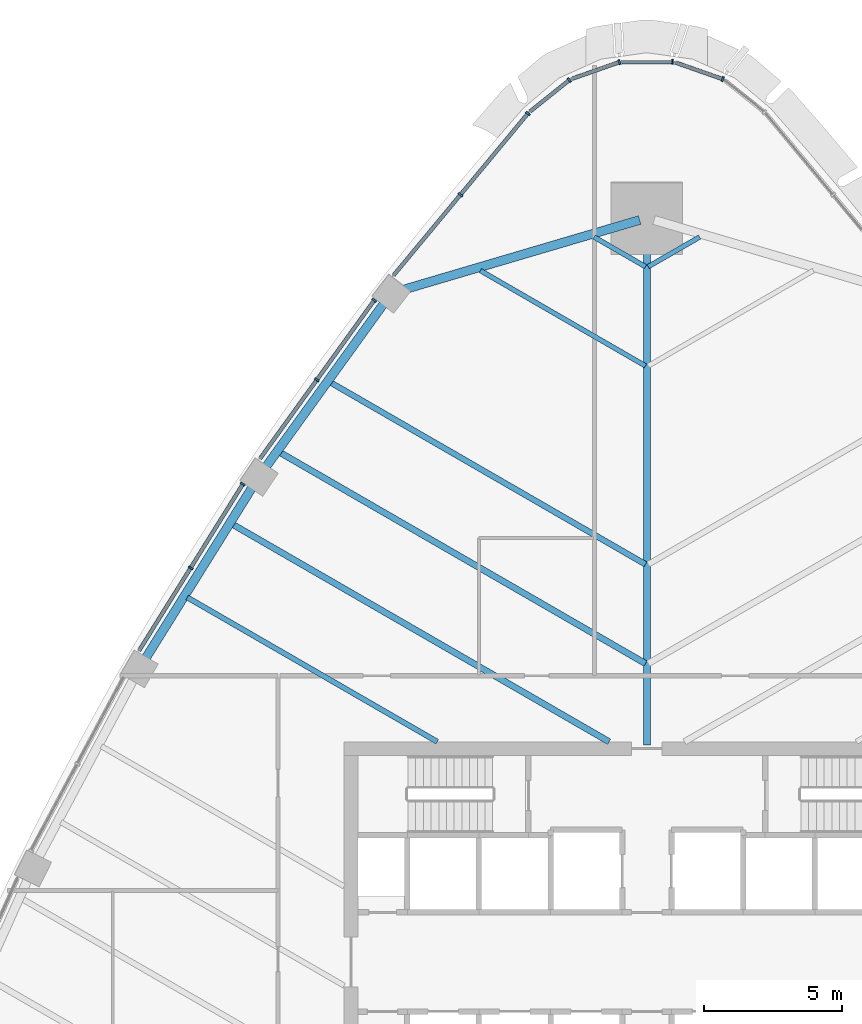
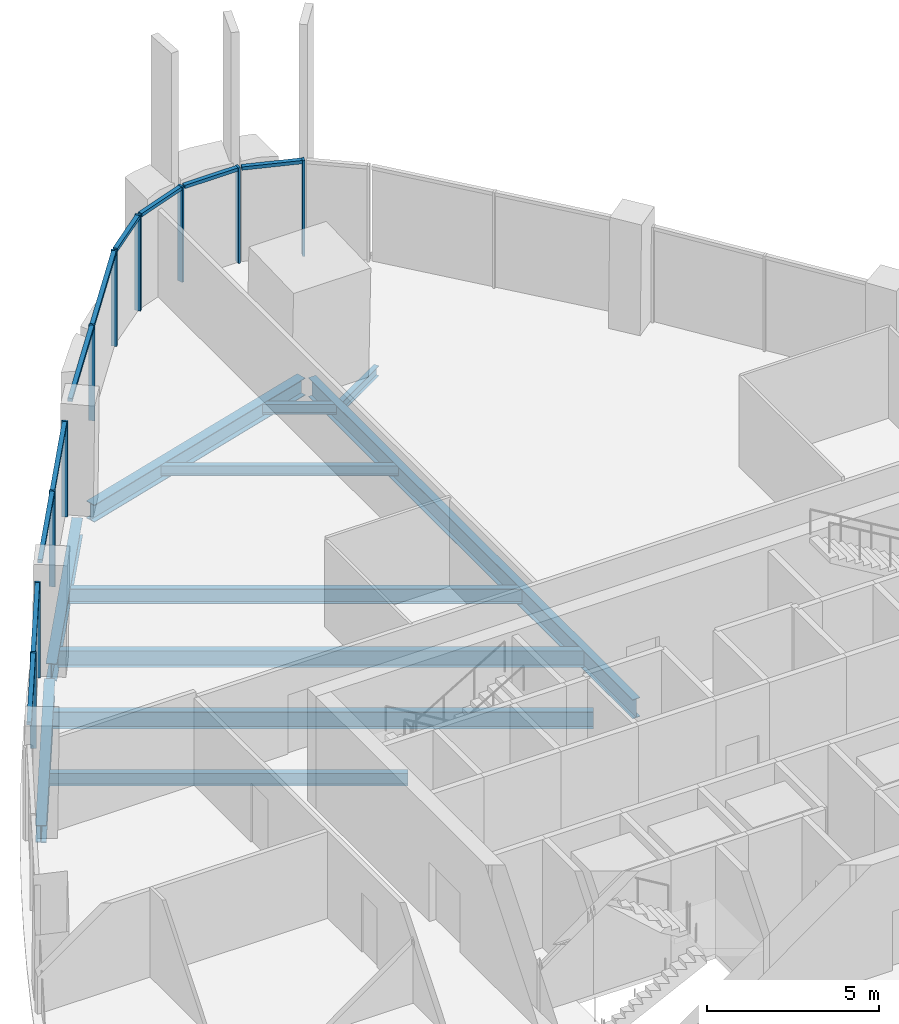
# One storey, part 6 of 19: 20 members, 11 beams, 7 elements without a shape of their own.
"""IFC4 building model written with IfcOpenShell, lengths in metres."""

from ifc_helpers import new_model, si_unit, direction, frame, origin, origin_2d, place, context, subcontext, project, spatial, rectangle, i_section, extrude, material, layer, layer_set, material_profile, profile_set, type_object, element, aggregate, save


model = new_model("IFC4")

# Units and contexts
model_context = context("Model", 3, precision=1e-05, world=origin(), true_north=direction((0.0, 1.0)))
body_context = subcontext(model_context, "Body", "Model", "MODEL_VIEW")
ifc_project = project(units=[si_unit("LENGTHUNIT", "METRE"), si_unit("AREAUNIT", "SQUARE_METRE"), si_unit("VOLUMEUNIT", "CUBIC_METRE"), si_unit("PLANEANGLEUNIT", "RADIAN"), si_unit("MASSUNIT", "GRAM", prefix="KILO")], contexts=[model_context])

# Site, building, storey
site_placement = place(None, origin())
site = spatial("IfcSite", under=ifc_project, at=site_placement, CompositionType="ELEMENT")
building_placement = place(site_placement, origin())
building = spatial("IfcBuilding", under=site, at=building_placement, Name="Sierra Prisma Convention Tower", CompositionType="ELEMENT")
storey_placement = place(building_placement, frame((0.0, 0.0, 185.800048828125)))
storey = spatial("IfcBuildingStorey", under=building, at=storey_placement, Name="L41", CompositionType="ELEMENT", Elevation=185.800048828125)

# Curtain wall, member
ifc_material_1 = material(Name="Aluminium and glass curtain wall", Category="aluminium")
ifc_layer = layer(ifc_material_1, 0.179931640625)
ifc_layer_set = layer_set([ifc_layer], Name="CW-1 Plain shaft curtain wall")
curtain_wall_type = type_object("IfcCurtainWallType", Name="CW-1 Plain shaft curtain wall", PredefinedType="NOTDEFINED", material=ifc_layer_set)
curtain_wall_1_placement = place(storey_placement, origin())
curtain_wall_1 = element("IfcCurtainWall", 1, at=curtain_wall_1_placement, inside=storey, type_object=curtain_wall_type, Name="CW-1 N2 L41", PredefinedType="NOTDEFINED")
ifc_material_2 = material(Name="Aluminium 6063-T6 bronze anodised", Category="aluminium")
ifc_material_profile_1 = material_profile(ifc_material_2, rectangle(XDim=0.179931640625, YDim=0.070068359375, at=origin_2d()), Name="ALU MULLION 70x180")
ifc_profile_set_1 = profile_set([ifc_material_profile_1], Name="Aluminium 6063-T6 bronze anodised")
member_type_1 = type_object("IfcMemberType", Name="CW mullion bronze", PredefinedType="MULLION", material=ifc_profile_set_1)
member_1_placement = place(storey_placement, frame((2.756591796875, 32.072021484375, 0.0), z_axis=(0.0, 0.0, 1.0), x_axis=(-0.331320274633, -0.94351834938, 0.0)))
member_1 = element("IfcMember", 2, at=member_1_placement, type_object=member_type_1, Name="CW-1 mullion N2.1", PredefinedType="MULLION", context=body_context, shape_type="SweptSolid", body=[
    extrude(rectangle(XDim=0.179931640625, YDim=0.070068359375, at=origin_2d()), origin(), (0.0, 0.0, 1.0), 3.39990234375),
])

curtain_wall_2_placement = place(storey_placement, origin())
curtain_wall_2 = element("IfcCurtainWall", 3, at=curtain_wall_2_placement, inside=storey, type_object=curtain_wall_type, Name="CW-1 N3 L41", PredefinedType="NOTDEFINED")
member_2_placement = place(storey_placement, frame((0.931396484375, 32.700927734375, 0.0), z_axis=(0.0, 0.0, 1.0), x_axis=(0.0, -1.0, 0.0)))
member_2 = element("IfcMember", 4, at=member_2_placement, type_object=member_type_1, Name="CW-1 mullion N3.1", PredefinedType="MULLION", context=body_context, shape_type="SweptSolid", body=[
    extrude(rectangle(XDim=0.179931640625, YDim=0.070068359375, at=origin_2d()), origin(), (0.0, 0.0, 1.0), 3.39990234375),
])

curtain_wall_3_placement = place(storey_placement, origin())
curtain_wall_3 = element("IfcCurtainWall", 5, at=curtain_wall_3_placement, inside=storey, type_object=curtain_wall_type, Name="CW-1 N4 L41", PredefinedType="NOTDEFINED")
member_3_placement = place(storey_placement, frame((-0.999267578125, 32.689208984375, 0.0), z_axis=(0.0, 0.0, 1.0), x_axis=(0.331320274633, -0.94351834938, 0.0)))
member_3 = element("IfcMember", 6, at=member_3_placement, type_object=member_type_1, Name="CW-1 mullion N4.1", PredefinedType="MULLION", context=body_context, shape_type="SweptSolid", body=[
    extrude(rectangle(XDim=0.179931640625, YDim=0.070068359375, at=origin_2d()), origin(), (0.0, 0.0, 1.0), 3.39990234375),
])

curtain_wall_4_placement = place(storey_placement, origin())
curtain_wall_4 = element("IfcCurtainWall", 7, at=curtain_wall_4_placement, inside=storey, type_object=curtain_wall_type, Name="CW-1 N5 L41", PredefinedType="NOTDEFINED")
member_4_placement = place(storey_placement, frame((-2.817138671875, 32.03857421875, 0.0), z_axis=(0.0, 0.0, 1.0), x_axis=(0.625213517277, -0.780453751234, 0.0)))
member_4 = element("IfcMember", 8, at=member_4_placement, type_object=member_type_1, Name="CW-1 mullion N5.1", PredefinedType="MULLION", context=body_context, shape_type="SweptSolid", body=[
    extrude(rectangle(XDim=0.179931640625, YDim=0.070068359375, at=origin_2d()), origin(), (0.0, 0.0, 1.0), 3.39990234375),
])

# Curtain wall, members
curtain_wall_5_placement = place(storey_placement, origin())
curtain_wall_5 = element("IfcCurtainWall", 9, at=curtain_wall_5_placement, inside=storey, type_object=curtain_wall_type, Name="CW-1 NW1 L41", PredefinedType="NOTDEFINED")
member_5_placement = place(storey_placement, frame((-4.3203125, 30.8251953125, 0.0), z_axis=(0.0, 0.0, 1.0), x_axis=(0.769514057048, -0.638629874031, 0.0)))
member_5 = element("IfcMember", 10, at=member_5_placement, type_object=member_type_1, Name="CW-1 mullion NW1.1", PredefinedType="MULLION", context=body_context, shape_type="SweptSolid", body=[
    extrude(rectangle(XDim=0.179931640625, YDim=0.070068359375, at=origin_2d()), origin(), (0.0, 0.0, 1.0), 3.39990234375),
])
member_6_placement = place(storey_placement, frame((-6.77099609375, 27.872314453125, 0.0), z_axis=(0.0, 0.0, 1.0), x_axis=(0.769514057048, -0.638629874031, 0.0)))
member_6 = element("IfcMember", 11, at=member_6_placement, type_object=member_type_1, Name="CW-1 mullion NW1.2", PredefinedType="MULLION", context=body_context, shape_type="SweptSolid", body=[
    extrude(rectangle(XDim=0.179931640625, YDim=0.070068359375, at=origin_2d()), origin(), (0.0, 0.0, 1.0), 3.39990234375),
])

curtain_wall_6_placement = place(storey_placement, origin())
curtain_wall_6 = element("IfcCurtainWall", 12, at=curtain_wall_6_placement, inside=storey, type_object=curtain_wall_type, Name="CW-1 NW2 L41", PredefinedType="NOTDEFINED")
member_7_placement = place(storey_placement, frame((-9.902587890625, 24.037841796875, 0.0), z_axis=(0.0, 0.0, 1.0), x_axis=(0.810922527159, -0.585153531089, 0.0)))
member_7 = element("IfcMember", 13, at=member_7_placement, type_object=member_type_1, Name="CW-1 mullion NW2.1", PredefinedType="MULLION", context=body_context, shape_type="SweptSolid", body=[
    extrude(rectangle(XDim=0.179931640625, YDim=0.070068359375, at=origin_2d()), origin(), (0.0, 0.0, 1.0), 3.39990234375),
])
member_8_placement = place(storey_placement, frame((-11.98876953125, 21.146728515625, 0.0), z_axis=(0.0, 0.0, 1.0), x_axis=(0.810922527159, -0.585153531089, 0.0)))
member_8 = element("IfcMember", 14, at=member_8_placement, type_object=member_type_1, Name="CW-1 mullion NW2.2", PredefinedType="MULLION", context=body_context, shape_type="SweptSolid", body=[
    extrude(rectangle(XDim=0.179931640625, YDim=0.070068359375, at=origin_2d()), origin(), (0.0, 0.0, 1.0), 3.39990234375),
])

curtain_wall_7_placement = place(storey_placement, origin())
curtain_wall_7 = element("IfcCurtainWall", 15, at=curtain_wall_7_placement, inside=storey, type_object=curtain_wall_type, Name="CW-1 NW3 L41", PredefinedType="NOTDEFINED")
member_9_placement = place(storey_placement, frame((-14.677490234375, 17.357177734375, 0.0), z_axis=(0.0, 0.0, 1.0), x_axis=(0.848621528952, -0.529000473155, 0.0)))
member_9 = element("IfcMember", 16, at=member_9_placement, type_object=member_type_1, Name="CW-1 mullion NW3.1", PredefinedType="MULLION", context=body_context, shape_type="SweptSolid", body=[
    extrude(rectangle(XDim=0.179931640625, YDim=0.070068359375, at=origin_2d()), origin(), (0.0, 0.0, 1.0), 3.39990234375),
])
member_10_placement = place(storey_placement, frame((-16.572021484375, 14.318115234375, 0.0), z_axis=(0.0, 0.0, 1.0), x_axis=(0.848621528952, -0.529000473155, 0.0)))
member_10 = element("IfcMember", 17, at=member_10_placement, type_object=member_type_1, Name="CW-1 mullion NW3.2", PredefinedType="MULLION", context=body_context, shape_type="SweptSolid", body=[
    extrude(rectangle(XDim=0.179931640625, YDim=0.070068359375, at=origin_2d()), origin(), (0.0, 0.0, 1.0), 3.39990234375),
])

# Member
ifc_material_3 = material(Name="Aluminium 6063-T6 bronze anodised", Category="aluminium")
ifc_material_profile_2 = material_profile(ifc_material_3, rectangle(XDim=0.139892578125, YDim=0.1201171875, at=origin_2d()), Name="ALU TRANSOM 120x140")
ifc_profile_set_2 = profile_set([ifc_material_profile_2], Name="Aluminium 6063-T6 bronze anodised")
member_type_2 = type_object("IfcMemberType", Name="CW transom bronze", PredefinedType="USERDEFINED", material=ifc_profile_set_2)
member_11_placement = place(storey_placement, frame((2.7236328125, 32.083740234375, 3.33984375), z_axis=(-0.943509627848, 0.331345110357, 0.0), x_axis=(-0.331345110357, -0.943509627848, 0.0)))
member_11 = element("IfcMember", 18, at=member_11_placement, type_object=member_type_2, Name="CW-1 transom N2.1", ObjectType="TRANSOM", PredefinedType="USERDEFINED", context=body_context, shape_type="SweptSolid", body=[
    extrude(rectangle(XDim=0.139892578125, YDim=0.1201171875, at=origin_2d()), origin(), (0.0, 0.0, 1.0), 1.792724609375),
])

aggregate(curtain_wall_1, [member_1, member_11])

member_12_placement = place(storey_placement, frame((0.896240234375, 32.700927734375, 3.33984375), z_axis=(-1.0, 0.0, 0.0), x_axis=(0.0, -1.0, 0.0)))
member_12 = element("IfcMember", 19, at=member_12_placement, type_object=member_type_2, Name="CW-1 transom N3.1", ObjectType="TRANSOM", PredefinedType="USERDEFINED", context=body_context, shape_type="SweptSolid", body=[
    extrude(rectangle(XDim=0.139892578125, YDim=0.1201171875, at=origin_2d()), origin(), (0.0, 0.0, 1.0), 1.79248046875),
])

aggregate(curtain_wall_2, [member_2, member_12])

member_13_placement = place(storey_placement, frame((-1.0322265625, 32.677734375, 3.33984375), z_axis=(-0.943509627848, -0.331345110357, 0.0), x_axis=(0.331345110357, -0.943509627848, 0.0)))
member_13 = element("IfcMember", 20, at=member_13_placement, type_object=member_type_2, Name="CW-1 transom N4.1", ObjectType="TRANSOM", PredefinedType="USERDEFINED", context=body_context, shape_type="SweptSolid", body=[
    extrude(rectangle(XDim=0.139892578125, YDim=0.1201171875, at=origin_2d()), origin(), (0.0, 0.0, 1.0), 1.792724609375),
])

aggregate(curtain_wall_3, [member_3, member_13])

member_14_placement = place(storey_placement, frame((-2.84423828125, 32.016845703125, 3.33984375), z_axis=(-0.780456773411, -0.625209744675, 0.0), x_axis=(0.625209744675, -0.780456773411, 0.0)))
member_14 = element("IfcMember", 21, at=member_14_placement, type_object=member_type_2, Name="CW-1 transom N5.1", ObjectType="TRANSOM", PredefinedType="USERDEFINED", context=body_context, shape_type="SweptSolid", body=[
    extrude(rectangle(XDim=0.139892578125, YDim=0.1201171875, at=origin_2d()), origin(), (0.0, 0.0, 1.0), 1.792724609375),
])

aggregate(curtain_wall_4, [member_4, member_14])

member_15_placement = place(storey_placement, frame((-4.3427734375, 30.79833984375, 3.33984375), z_axis=(-0.638621460527, -0.769521039448, 0.0), x_axis=(0.769521039448, -0.638621460527, 0.0)))
member_15 = element("IfcMember", 22, at=member_15_placement, type_object=member_type_2, Name="CW-1 transom NW1.1", ObjectType="TRANSOM", PredefinedType="USERDEFINED", context=body_context, shape_type="SweptSolid", body=[
    extrude(rectangle(XDim=0.139892578125, YDim=0.1201171875, at=origin_2d()), origin(), (0.0, 0.0, 1.0), 3.767578125),
])

member_16_placement = place(storey_placement, frame((-6.79345703125, 27.845458984375, 3.33984375), z_axis=(-0.638621460527, -0.769521039448, 0.0), x_axis=(0.769521039448, -0.638621460527, 0.0)))
member_16 = element("IfcMember", 23, at=member_16_placement, type_object=member_type_2, Name="CW-1 transom NW1.2", ObjectType="TRANSOM", PredefinedType="USERDEFINED", context=body_context, shape_type="SweptSolid", body=[
    extrude(rectangle(XDim=0.139892578125, YDim=0.1201171875, at=origin_2d()), origin(), (0.0, 0.0, 1.0), 3.767578125),
])

aggregate(curtain_wall_5, [member_5, member_6, member_15, member_16])

member_17_placement = place(storey_placement, frame((-9.923095703125, 24.009521484375, 3.33984375), z_axis=(-0.585123256355, -0.810944372243, 0.0), x_axis=(0.810944372243, -0.585123256355, 0.0)))
member_17 = element("IfcMember", 24, at=member_17_placement, type_object=member_type_2, Name="CW-1 transom NW2.1", ObjectType="TRANSOM", PredefinedType="USERDEFINED", context=body_context, shape_type="SweptSolid", body=[
    extrude(rectangle(XDim=0.139892578125, YDim=0.1201171875, at=origin_2d()), origin(), (0.0, 0.0, 1.0), 3.495361328125),
])

member_18_placement = place(storey_placement, frame((-12.00927734375, 21.118408203125, 3.33984375), z_axis=(-0.585123256355, -0.810944372243, 0.0), x_axis=(0.810944372243, -0.585123256355, 0.0)))
member_18 = element("IfcMember", 25, at=member_18_placement, type_object=member_type_2, Name="CW-1 transom NW2.2", ObjectType="TRANSOM", PredefinedType="USERDEFINED", context=body_context, shape_type="SweptSolid", body=[
    extrude(rectangle(XDim=0.139892578125, YDim=0.1201171875, at=origin_2d()), origin(), (0.0, 0.0, 1.0), 3.495361328125),
])

aggregate(curtain_wall_6, [member_7, member_8, member_17, member_18])

member_19_placement = place(storey_placement, frame((-14.696044921875, 17.327392578125, 3.33984375), z_axis=(-0.529023534747, -0.848607152741, 0.0), x_axis=(0.848607152741, -0.529023534747, 0.0)))
member_19 = element("IfcMember", 26, at=member_19_placement, type_object=member_type_2, Name="CW-1 transom NW3.1", ObjectType="TRANSOM", PredefinedType="USERDEFINED", context=body_context, shape_type="SweptSolid", body=[
    extrude(rectangle(XDim=0.139892578125, YDim=0.1201171875, at=origin_2d()), origin(), (0.0, 0.0, 1.0), 3.510986328125),
])

member_20_placement = place(storey_placement, frame((-16.590576171875, 14.288330078125, 3.33984375), z_axis=(-0.52899231959, -0.84862661154, 0.0), x_axis=(0.84862661154, -0.52899231959, 0.0)))
member_20 = element("IfcMember", 27, at=member_20_placement, type_object=member_type_2, Name="CW-1 transom NW3.2", ObjectType="TRANSOM", PredefinedType="USERDEFINED", context=body_context, shape_type="SweptSolid", body=[
    extrude(rectangle(XDim=0.139892578125, YDim=0.1201171875, at=origin_2d()), origin(), (0.0, 0.0, 1.0), 3.51123046875),
])

aggregate(curtain_wall_7, [member_9, member_10, member_19, member_20])

# Beams
ifc_material_4 = material(Name="Steel ASTM A992 Gr 50", Category="steel")
ifc_material_profile_3 = material_profile(ifc_material_4, i_section(OverallWidth=0.172119140625, OverallDepth=0.35791015625, WebThickness=0.0078125, FlangeThickness=0.01318359375, at=origin_2d()), Name="W360x57")
ifc_profile_set_3 = profile_set([ifc_material_profile_3], Name="Steel ASTM A992 Gr 50")
beam_type_1 = type_object("IfcBeamType", Name="Floor joist W360x57", PredefinedType="JOIST", material=ifc_profile_set_3)
for number, where, z_axis, x_axis, name in (
    (28, (1.9150390625, 26.336181640625, -0.3291015625), (-0.866008051047, -0.500030054618, 0.0), (0.500030054618, -0.866008051047, 0.0), "Floor joist L41 NE15"),
    (29, (-1.9150390625, 26.336181640625, -0.3291015625), (0.866008051047, -0.500030054618, 0.0), (0.500030054618, 0.866008051047, 0.0), "Floor joist L41 NW01"),
):
    element("IfcBeam", number, at=place(storey_placement, frame(where, z_axis=z_axis, x_axis=x_axis)), inside=storey, type_object=beam_type_1, Name=name, PredefinedType="JOIST", context=body_context, shape_type="SweptSolid", body=[
        extrude(i_section(OverallWidth=0.172119140625, OverallDepth=0.35791015625, WebThickness=0.0078125, FlangeThickness=0.01318359375, at=origin_2d()), origin(), (0.0, 0.0, 1.0), 2.152587890625),
    ])
beam_1_placement = place(storey_placement, frame((-6.047119140625, 25.117431640625, -0.3291015625), z_axis=(0.866029983618, -0.499992067412, 0.0), x_axis=(0.499992067412, 0.866029983618, 0.0)))
element("IfcBeam", 30, at=beam_1_placement, inside=storey, type_object=beam_type_1, Name="Floor joist L41 NW02", PredefinedType="JOIST", context=body_context, shape_type="SweptSolid", body=[
    extrude(i_section(OverallWidth=0.172119140625, OverallDepth=0.35791015625, WebThickness=0.0078125, FlangeThickness=0.01318359375, at=origin_2d()), origin(), (0.0, 0.0, 1.0), 6.923828125),
])
ifc_material_5 = material(Name="Steel ASTM A992 Gr 50", Category="steel")
ifc_material_profile_4 = material_profile(ifc_material_5, i_section(OverallWidth=0.18994140625, OverallDepth=0.45703125, WebThickness=0.009033203125, FlangeThickness=0.014404296875, at=origin_2d()), Name="W460x74")
ifc_profile_set_4 = profile_set([ifc_material_profile_4], Name="Steel ASTM A992 Gr 50")
beam_type_2 = type_object("IfcBeamType", Name="Floor joist W460x74", PredefinedType="JOIST", material=ifc_profile_set_4)
beam_2_placement = place(storey_placement, frame((-16.696533203125, 13.244140625, -0.378662109375), z_axis=(0.866022777197, -0.500004549355, 0.0), x_axis=(0.500004549355, 0.866022777197, 0.0)))
element("IfcBeam", 31, at=beam_2_placement, inside=storey, type_object=beam_type_2, Name="Floor joist L41 NW07", PredefinedType="JOIST", context=body_context, shape_type="SweptSolid", body=[
    extrude(i_section(OverallWidth=0.18994140625, OverallDepth=0.45703125, WebThickness=0.009033203125, FlangeThickness=0.014404296875, at=origin_2d()), origin(), (0.0, 0.0, 1.0), 10.48828125),
])
ifc_material_6 = material(Name="Steel ASTM A992 Gr 50", Category="steel")
ifc_material_profile_5 = material_profile(ifc_material_6, i_section(OverallWidth=0.208984375, OverallDepth=0.532958984375, WebThickness=0.01025390625, FlangeThickness=0.015625, at=origin_2d()), Name="W530x92")
ifc_profile_set_5 = profile_set([ifc_material_profile_5], Name="Steel ASTM A992 Gr 50")
beam_type_3 = type_object("IfcBeamType", Name="Floor joist W530x92", PredefinedType="JOIST", material=ifc_profile_set_5)
beam_3_placement = place(storey_placement, frame((-11.488037109375, 21.050048828125, -0.41650390625), z_axis=(0.866026428882, -0.499998224475, 0.0), x_axis=(0.499998224475, 0.866026428882, 0.0)))
element("IfcBeam", 32, at=beam_3_placement, inside=storey, type_object=beam_type_3, Name="Floor joist L41 NW04", PredefinedType="JOIST", context=body_context, shape_type="SweptSolid", body=[
    extrude(i_section(OverallWidth=0.208984375, OverallDepth=0.532958984375, WebThickness=0.01025390625, FlangeThickness=0.015625, at=origin_2d()), origin(), (0.0, 0.0, 1.0), 13.20654296875),
])
ifc_material_7 = material(Name="Steel ASTM A992 Gr 50", Category="steel")
ifc_material_profile_6 = material_profile(ifc_material_7, i_section(OverallWidth=0.22802734375, OverallDepth=0.60302734375, WebThickness=0.010498046875, FlangeThickness=0.014892578125, at=origin_2d()), Name="W610x101")
ifc_profile_set_6 = profile_set([ifc_material_profile_6], Name="Steel ASTM A992 Gr 50")
beam_type_4 = type_object("IfcBeamType", Name="Floor joist W610x101", PredefinedType="JOIST", material=ifc_profile_set_6)
beam_4_placement = place(storey_placement, frame((-13.323974609375, 18.505615234375, -0.45166015625), z_axis=(0.866024038652, -0.500002364472, 0.0), x_axis=(0.500002364472, 0.866024038652, 0.0)))
element("IfcBeam", 33, at=beam_4_placement, inside=storey, type_object=beam_type_4, Name="Floor joist L41 NW05", PredefinedType="JOIST", context=body_context, shape_type="SweptSolid", body=[
    extrude(i_section(OverallWidth=0.22802734375, OverallDepth=0.60302734375, WebThickness=0.010498046875, FlangeThickness=0.014892578125, at=origin_2d()), origin(), (0.0, 0.0, 1.0), 15.32666015625),
])
beam_5_placement = place(storey_placement, frame((-15.04443359375, 15.89453125, -0.45166015625), z_axis=(0.866026969698, -0.499997287748, 0.0), x_axis=(0.499997287748, 0.866026969698, 0.0)))
element("IfcBeam", 34, at=beam_5_placement, inside=storey, type_object=beam_type_4, Name="Floor joist L41 NW06", PredefinedType="JOIST", context=body_context, shape_type="SweptSolid", body=[
    extrude(i_section(OverallWidth=0.22802734375, OverallDepth=0.60302734375, WebThickness=0.010498046875, FlangeThickness=0.014892578125, at=origin_2d()), origin(), (0.0, 0.0, 1.0), 15.7890625),
])
ifc_material_8 = material(Name="Steel ASTM A992 Gr 50", Category="steel")
ifc_material_profile_7 = material_profile(ifc_material_8, i_section(OverallWidth=0.25390625, OverallDepth=0.68408203125, WebThickness=0.012451171875, FlangeThickness=0.018798828125, at=origin_2d()), Name="W690x140")
ifc_profile_set_7 = profile_set([ifc_material_profile_7], Name="Steel ASTM A992 Gr 50")
beam_type_5 = type_object("IfcBeamType", Name="Radial girder W690x140", PredefinedType="BEAM", material=ifc_profile_set_7)
beam_6_placement = place(storey_placement, frame((0.0, 26.772705078125, -0.491943359375), z_axis=(0.0, -1.0, 0.0), x_axis=(1.0, 0.0, 0.0)))
element("IfcBeam", 35, at=beam_6_placement, inside=storey, type_object=beam_type_5, Name="Radial girder L41 N", PredefinedType="BEAM", context=body_context, shape_type="SweptSolid", body=[
    extrude(i_section(OverallWidth=0.25390625, OverallDepth=0.68408203125, WebThickness=0.012451171875, FlangeThickness=0.018798828125, at=origin_2d()), origin(), (0.0, 0.0, 1.0), 18.892822265625),
])
ifc_material_9 = material(Name="Steel ASTM A992 Gr 50", Category="steel")
ifc_material_profile_8 = material_profile(ifc_material_9, i_section(OverallWidth=0.324951171875, OverallDepth=0.615966796875, WebThickness=0.013916015625, FlangeThickness=0.021484375, at=origin_2d()), Name="W610x174")
ifc_profile_set_8 = profile_set([ifc_material_profile_8], Name="Steel ASTM A992 Gr 50")
beam_type_6 = type_object("IfcBeamType", Name="Spandrel beam W610x174", PredefinedType="BEAM", material=ifc_profile_set_8)
beam_7_placement = place(storey_placement, frame((-0.260009765625, 26.955810546875, -0.4580078125), z_axis=(-0.959147165835, -0.282907607306, 0.0), x_axis=(0.282907607306, -0.959147165835, 0.0)))
element("IfcBeam", 36, at=beam_7_placement, inside=storey, type_object=beam_type_6, Name="Spandrel L41-13", PredefinedType="BEAM", context=body_context, shape_type="SweptSolid", body=[
    extrude(i_section(OverallWidth=0.324951171875, OverallDepth=0.615966796875, WebThickness=0.013916015625, FlangeThickness=0.021484375, at=origin_2d()), origin(), (0.0, 0.0, 1.0), 8.91455078125),
])
for number, where, z_axis, x_axis, name in (
    (37, (-9.50927734375, 23.985107421875, -0.4580078125), (-0.585138035025, -0.810933708738, 0.0), (0.810933708738, -0.585138035025, 0.0), "Spandrel L41-14"),
    (38, (-14.298583984375, 17.303955078125, -0.4580078125), (-0.528983748252, -0.848631954433, 0.0), (0.848631954433, -0.528983748252, 0.0), "Spandrel L41-15"),
):
    element("IfcBeam", number, at=place(storey_placement, frame(where, z_axis=z_axis, x_axis=x_axis)), inside=storey, type_object=beam_type_6, Name=name, PredefinedType="BEAM", context=body_context, shape_type="SweptSolid", body=[
        extrude(i_section(OverallWidth=0.324951171875, OverallDepth=0.615966796875, WebThickness=0.013916015625, FlangeThickness=0.021484375, at=origin_2d()), origin(), (0.0, 0.0, 1.0), 7.460693359375),
    ])

save(model, "model.ifc")
